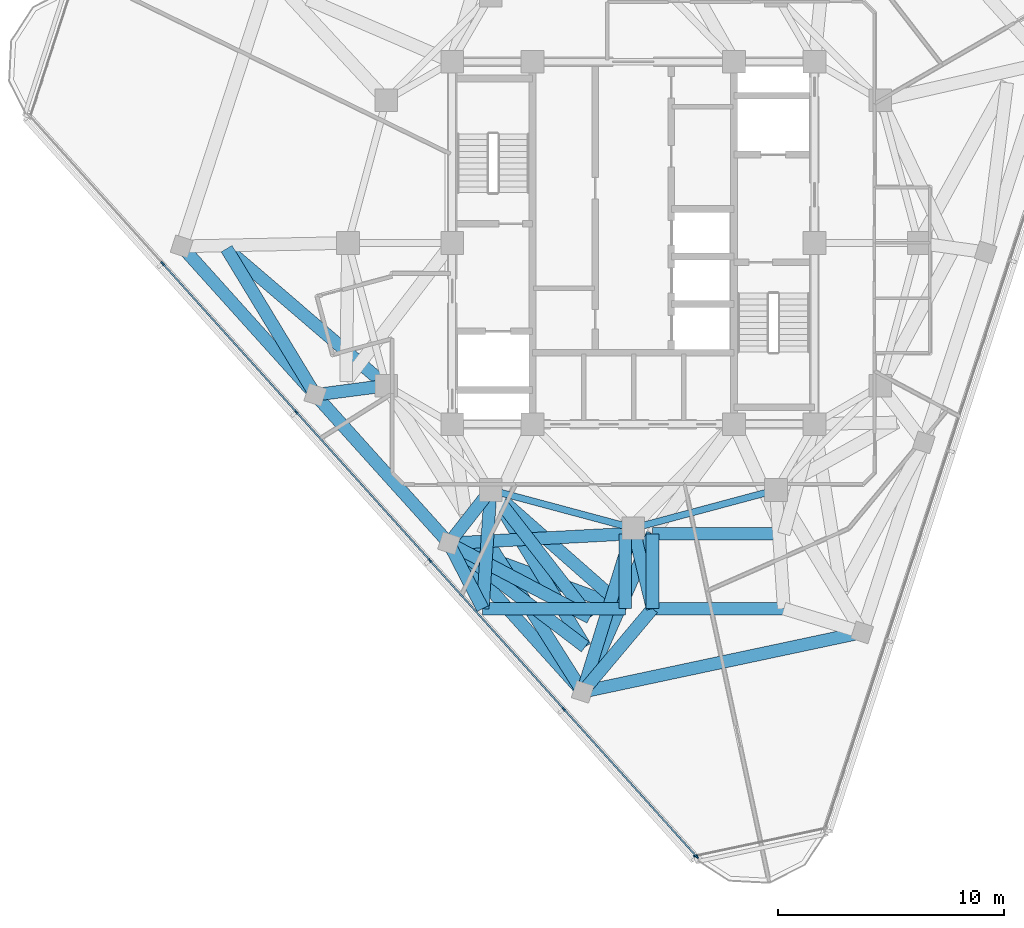
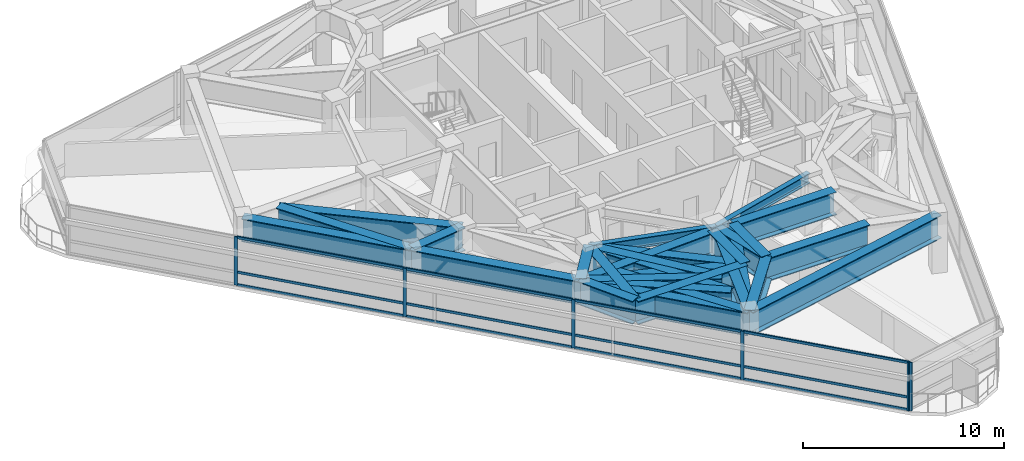
# One storey, part 2 of 15: 29 beams, 18 members, 2 elements without a shape of their own.
"""IFC4 building model written with IfcOpenShell, lengths in metres."""

from ifc_helpers import new_model, si_unit, direction, frame, origin, origin_2d, place, context, subcontext, project, spatial, rectangle, i_section, extrude, material, layer, layer_set, material_profile, profile_set, type_object, element, aggregate, save


model = new_model("IFC4")

# Units and contexts
model_context = context("Model", 3, precision=1e-05, world=origin(), true_north=direction((0.0, 1.0)))
body_context = subcontext(model_context, "Body", "Model", "MODEL_VIEW")
ifc_project = project(units=[si_unit("LENGTHUNIT", "METRE"), si_unit("AREAUNIT", "SQUARE_METRE"), si_unit("VOLUMEUNIT", "CUBIC_METRE"), si_unit("PLANEANGLEUNIT", "RADIAN"), si_unit("MASSUNIT", "GRAM", prefix="KILO")], contexts=[model_context])

# Site, building, storey
site_placement = place(None, origin())
site = spatial("IfcSite", under=ifc_project, at=site_placement, CompositionType="ELEMENT")
building_placement = place(site_placement, origin())
building = spatial("IfcBuilding", under=site, at=building_placement, Name="Terralouvre Media Tower", CompositionType="ELEMENT")
storey_placement = place(building_placement, frame((0.0, 0.0, 309.10009765625)))
storey = spatial("IfcBuildingStorey", under=building, at=storey_placement, Name="L80", CompositionType="ELEMENT", Elevation=309.10009765625)

# Curtain wall, members
ifc_material_1 = material(Name="Low-iron laminated double glazing with solar-control coating", Category="glass")
ifc_layer_1 = layer(ifc_material_1, 0.1650390625, Name="Faceted Glass-Point Crown Curtain Wall CW-06")
ifc_layer_set_1 = layer_set([ifc_layer_1], Name="Low-iron laminated double glazing with solar-control coating")
curtain_wall_type_1 = type_object("IfcCurtainWallType", Name="Faceted Glass-Point Crown Curtain Wall CW-06", PredefinedType="NOTDEFINED", material=ifc_layer_set_1)
curtain_wall_1_placement = place(storey_placement, origin())
curtain_wall_1 = element("IfcCurtainWall", 1, at=curtain_wall_1_placement, inside=storey, type_object=curtain_wall_type_1, Name="L80 Facade Curtain Wall F2", PredefinedType="NOTDEFINED")
ifc_material_2 = material(Name="Anodised extruded aluminium 6063-T6", Category="aluminium")
ifc_material_profile_1 = material_profile(ifc_material_2, rectangle(XDim=0.074951171875, YDim=0.14990234375, at=origin_2d()), Name="ALU 75x150")
ifc_profile_set_1 = profile_set([ifc_material_profile_1], Name="Anodised extruded aluminium 6063-T6")
member_type_1 = type_object("IfcMemberType", Name="Curtain-Wall Horizontal Transom TR-150", PredefinedType="USERDEFINED", material=ifc_profile_set_1)
member_1_placement = place(storey_placement, frame((-20.763671875, -0.935302734375, 0.037353515625), z_axis=(0.669121968521, -0.74315260293, 0.0), x_axis=(0.74315260293, 0.669121968521, 0.0)))
member_1 = element("IfcMember", 2, at=member_1_placement, type_object=member_type_1, Name="CW-06 transom 2.1", ObjectType="TRANSOM", PredefinedType="USERDEFINED", context=body_context, shape_type="SweptSolid", body=[
    extrude(rectangle(XDim=0.074951171875, YDim=0.14990234375, at=origin_2d()), origin(), (0.0, 0.0, 1.0), 8.749267578125),
])
member_2_placement = place(storey_placement, frame((-20.763671875, -0.935302734375, 0.7998046875), z_axis=(0.669121968521, -0.74315260293, 0.0), x_axis=(0.74315260293, 0.669121968521, 0.0)))
member_2 = element("IfcMember", 3, at=member_2_placement, type_object=member_type_1, Name="CW-06 transom 2.2", ObjectType="TRANSOM", PredefinedType="USERDEFINED", context=body_context, shape_type="SweptSolid", body=[
    extrude(rectangle(XDim=0.074951171875, YDim=0.14990234375, at=origin_2d()), origin(), (0.0, 0.0, 1.0), 8.749267578125),
])
member_3_placement = place(storey_placement, frame((-20.763671875, -0.935302734375, 2.90234375), z_axis=(0.669121968521, -0.74315260293, 0.0), x_axis=(0.74315260293, 0.669121968521, 0.0)))
member_3 = element("IfcMember", 4, at=member_3_placement, type_object=member_type_1, Name="CW-06 transom 2.3", ObjectType="TRANSOM", PredefinedType="USERDEFINED", context=body_context, shape_type="SweptSolid", body=[
    extrude(rectangle(XDim=0.074951171875, YDim=0.14990234375, at=origin_2d()), origin(), (0.0, 0.0, 1.0), 8.749267578125),
])
member_4_placement = place(storey_placement, frame((-14.859375, -7.492919921875, 0.037353515625), z_axis=(0.669135844476, -0.743140109022, 0.0), x_axis=(0.743140109022, 0.669135844476, 0.0)))
member_4 = element("IfcMember", 5, at=member_4_placement, type_object=member_type_1, Name="CW-06 transom 3.1", ObjectType="TRANSOM", PredefinedType="USERDEFINED", context=body_context, shape_type="SweptSolid", body=[
    extrude(rectangle(XDim=0.074951171875, YDim=0.14990234375, at=origin_2d()), origin(), (0.0, 0.0, 1.0), 8.7490234375),
])
member_5_placement = place(storey_placement, frame((-14.859375, -7.492919921875, 0.7998046875), z_axis=(0.669135844476, -0.743140109022, 0.0), x_axis=(0.743140109022, 0.669135844476, 0.0)))
member_5 = element("IfcMember", 6, at=member_5_placement, type_object=member_type_1, Name="CW-06 transom 3.2", ObjectType="TRANSOM", PredefinedType="USERDEFINED", context=body_context, shape_type="SweptSolid", body=[
    extrude(rectangle(XDim=0.074951171875, YDim=0.14990234375, at=origin_2d()), origin(), (0.0, 0.0, 1.0), 8.7490234375),
])
member_6_placement = place(storey_placement, frame((-14.859375, -7.492919921875, 2.90234375), z_axis=(0.669135844476, -0.743140109022, 0.0), x_axis=(0.743140109022, 0.669135844476, 0.0)))
member_6 = element("IfcMember", 7, at=member_6_placement, type_object=member_type_1, Name="CW-06 transom 3.3", ObjectType="TRANSOM", PredefinedType="USERDEFINED", context=body_context, shape_type="SweptSolid", body=[
    extrude(rectangle(XDim=0.074951171875, YDim=0.14990234375, at=origin_2d()), origin(), (0.0, 0.0, 1.0), 8.7490234375),
])
member_7_placement = place(storey_placement, frame((-8.954833984375, -14.050537109375, 0.037353515625), z_axis=(0.669135844476, -0.743140109022, 0.0), x_axis=(0.743140109022, 0.669135844476, 0.0)))
member_7 = element("IfcMember", 8, at=member_7_placement, type_object=member_type_1, Name="CW-06 transom 4.1", ObjectType="TRANSOM", PredefinedType="USERDEFINED", context=body_context, shape_type="SweptSolid", body=[
    extrude(rectangle(XDim=0.074951171875, YDim=0.14990234375, at=origin_2d()), origin(), (0.0, 0.0, 1.0), 8.7490234375),
])
member_8_placement = place(storey_placement, frame((-8.954833984375, -14.050537109375, 0.7998046875), z_axis=(0.669135844476, -0.743140109022, 0.0), x_axis=(0.743140109022, 0.669135844476, 0.0)))
member_8 = element("IfcMember", 9, at=member_8_placement, type_object=member_type_1, Name="CW-06 transom 4.2", ObjectType="TRANSOM", PredefinedType="USERDEFINED", context=body_context, shape_type="SweptSolid", body=[
    extrude(rectangle(XDim=0.074951171875, YDim=0.14990234375, at=origin_2d()), origin(), (0.0, 0.0, 1.0), 8.7490234375),
])
member_9_placement = place(storey_placement, frame((-8.954833984375, -14.050537109375, 2.90234375), z_axis=(0.669135844476, -0.743140109022, 0.0), x_axis=(0.743140109022, 0.669135844476, 0.0)))
member_9 = element("IfcMember", 10, at=member_9_placement, type_object=member_type_1, Name="CW-06 transom 4.3", ObjectType="TRANSOM", PredefinedType="USERDEFINED", context=body_context, shape_type="SweptSolid", body=[
    extrude(rectangle(XDim=0.074951171875, YDim=0.14990234375, at=origin_2d()), origin(), (0.0, 0.0, 1.0), 8.7490234375),
])
member_10_placement = place(storey_placement, frame((-3.050537109375, -20.60791015625, 0.037353515625), z_axis=(0.669130389016, -0.743145021174, 0.0), x_axis=(0.743145021174, 0.669130389016, 0.0)))
member_10 = element("IfcMember", 11, at=member_10_placement, type_object=member_type_1, Name="CW-06 transom 5.1", ObjectType="TRANSOM", PredefinedType="USERDEFINED", context=body_context, shape_type="SweptSolid", body=[
    extrude(rectangle(XDim=0.074951171875, YDim=0.14990234375, at=origin_2d()), origin(), (0.0, 0.0, 1.0), 8.71142578125),
])
member_11_placement = place(storey_placement, frame((-3.050537109375, -20.60791015625, 0.7998046875), z_axis=(0.669130389016, -0.743145021174, 0.0), x_axis=(0.743145021174, 0.669130389016, 0.0)))
member_11 = element("IfcMember", 12, at=member_11_placement, type_object=member_type_1, Name="CW-06 transom 5.2", ObjectType="TRANSOM", PredefinedType="USERDEFINED", context=body_context, shape_type="SweptSolid", body=[
    extrude(rectangle(XDim=0.074951171875, YDim=0.14990234375, at=origin_2d()), origin(), (0.0, 0.0, 1.0), 8.71142578125),
])
member_12_placement = place(storey_placement, frame((-3.050537109375, -20.60791015625, 2.90234375), z_axis=(0.669130389016, -0.743145021174, 0.0), x_axis=(0.743145021174, 0.669130389016, 0.0)))
member_12 = element("IfcMember", 13, at=member_12_placement, type_object=member_type_1, Name="CW-06 transom 5.3", ObjectType="TRANSOM", PredefinedType="USERDEFINED", context=body_context, shape_type="SweptSolid", body=[
    extrude(rectangle(XDim=0.074951171875, YDim=0.14990234375, at=origin_2d()), origin(), (0.0, 0.0, 1.0), 8.71142578125),
])
ifc_material_3 = material(Name="Anodised extruded aluminium 6063-T6", Category="aluminium")
ifc_material_profile_2 = material_profile(ifc_material_3, rectangle(XDim=0.074951171875, YDim=0.179931640625, at=origin_2d()), Name="ALU 75x180")
ifc_profile_set_2 = profile_set([ifc_material_profile_2], Name="Anodised extruded aluminium 6063-T6")
member_type_2 = type_object("IfcMemberType", Name="Curtain-Wall Vertical Mullion ML-180", PredefinedType="MULLION", material=ifc_profile_set_2)
member_13_placement = place(storey_placement, frame((-20.788818359375, -0.907470703125, 0.0), z_axis=(0.0, 0.0, 1.0), x_axis=(0.743144855036, 0.669130573531, 0.0)))
member_13 = element("IfcMember", 14, at=member_13_placement, type_object=member_type_2, Name="CW-06 mullion 2", PredefinedType="MULLION", context=body_context, shape_type="SweptSolid", body=[
    extrude(rectangle(XDim=0.074951171875, YDim=0.179931640625, at=origin_2d()), origin(), (0.0, 0.0, 1.0), 2.93994140625),
])
member_14_placement = place(storey_placement, frame((-14.88427734375, -7.465087890625, 0.0), z_axis=(0.0, 0.0, 1.0), x_axis=(0.743144855036, 0.669130573531, 0.0)))
member_14 = element("IfcMember", 15, at=member_14_placement, type_object=member_type_2, Name="CW-06 mullion 3", PredefinedType="MULLION", context=body_context, shape_type="SweptSolid", body=[
    extrude(rectangle(XDim=0.074951171875, YDim=0.179931640625, at=origin_2d()), origin(), (0.0, 0.0, 1.0), 2.93994140625),
])
member_15_placement = place(storey_placement, frame((-8.97998046875, -14.0224609375, 0.0), z_axis=(0.0, 0.0, 1.0), x_axis=(0.743144855036, 0.669130573531, 0.0)))
member_15 = element("IfcMember", 16, at=member_15_placement, type_object=member_type_2, Name="CW-06 mullion 4", PredefinedType="MULLION", context=body_context, shape_type="SweptSolid", body=[
    extrude(rectangle(XDim=0.074951171875, YDim=0.179931640625, at=origin_2d()), origin(), (0.0, 0.0, 1.0), 2.93994140625),
])
member_16_placement = place(storey_placement, frame((-3.07568359375, -20.580078125, 0.0), z_axis=(0.0, 0.0, 1.0), x_axis=(0.743144855036, 0.669130573531, 0.0)))
member_16 = element("IfcMember", 17, at=member_16_placement, type_object=member_type_2, Name="CW-06 mullion 5", PredefinedType="MULLION", context=body_context, shape_type="SweptSolid", body=[
    extrude(rectangle(XDim=0.074951171875, YDim=0.179931640625, at=origin_2d()), origin(), (0.0, 0.0, 1.0), 2.93994140625),
])
member_17_placement = place(storey_placement, frame((2.8037109375, -27.109619140625, 0.0), z_axis=(0.0, 0.0, 1.0), x_axis=(0.743144855036, 0.669130573531, 0.0)))
member_17 = element("IfcMember", 18, at=member_17_placement, type_object=member_type_2, Name="CW-06 mullion 6", PredefinedType="MULLION", context=body_context, shape_type="SweptSolid", body=[
    extrude(rectangle(XDim=0.074951171875, YDim=0.179931640625, at=origin_2d()), origin(), (0.0, 0.0, 1.0), 2.93994140625),
])
aggregate(curtain_wall_1, [member_13, member_14, member_15, member_16, member_17, member_1, member_2, member_3, member_4, member_5, member_6, member_7, member_8, member_9, member_10, member_11, member_12])

# Curtain wall, member
ifc_material_4 = material(Name="Low-iron laminated double glazing with solar-control coating", Category="glass")
ifc_layer_2 = layer(ifc_material_4, 0.1650390625, Name="Rounded Wind-Corner Curved Glazing CW-04")
ifc_layer_set_2 = layer_set([ifc_layer_2], Name="Low-iron laminated double glazing with solar-control coating")
curtain_wall_type_2 = type_object("IfcCurtainWallType", Name="Rounded Wind-Corner Curved Glazing CW-04", PredefinedType="NOTDEFINED", material=ifc_layer_set_2)
curtain_wall_2_placement = place(storey_placement, origin())
curtain_wall_2 = element("IfcCurtainWall", 19, at=curtain_wall_2_placement, inside=storey, type_object=curtain_wall_type_2, Name="L80 Rounded Wind-Corner Curtain Wall C0", PredefinedType="NOTDEFINED")
member_18_placement = place(storey_placement, frame((2.747314453125, -27.0732421875, 0.0), z_axis=(0.0, 0.0, 1.0), x_axis=(-0.207911647592, 0.978147609922, 0.0)))
member_18 = element("IfcMember", 20, at=member_18_placement, type_object=member_type_2, Name="CW-04 mullion 1", PredefinedType="MULLION", context=body_context, shape_type="SweptSolid", body=[
    extrude(rectangle(XDim=0.074951171875, YDim=0.179931640625, at=origin_2d()), origin(), (0.0, 0.0, 1.0), 2.93994140625),
])
aggregate(curtain_wall_2, [member_18])

# Beams
ifc_material_5 = material(Name="Structural steel S460M", Category="steel")
ifc_material_profile_3 = material_profile(ifc_material_5, i_section(OverallWidth=0.300048828125, OverallDepth=0.60009765625, WebThickness=0.015380859375, FlangeThickness=0.030029296875, at=origin_2d()), Name="HEB 600")
ifc_profile_set_3 = profile_set([ifc_material_profile_3], Name="Structural steel S460M")
beam_type_1 = type_object("IfcBeamType", Name="Primary Floor Girder B-HEB600 (HEB 600)", PredefinedType="BEAM", material=ifc_profile_set_3)
for number, where, z_axis, x_axis, name in (
    (21, (-6.300048828125, -10.911865234375, 3.139892578125), (0.965920481897, -0.258838989821, 0.0), (0.258838989821, 0.965920481897, 0.0), "L80 Framing Beam BM-L80-MR02"),
    (22, (0.0, -12.60009765625, 3.139892578125), (0.965920481897, 0.258838989821, 0.0), (-0.258838989821, 0.965920481897, 0.0), "L80 Framing Beam BM-L80-MR03"),
):
    element("IfcBeam", number, at=place(storey_placement, frame(where, z_axis=z_axis, x_axis=x_axis)), inside=storey, type_object=beam_type_1, Name=name, PredefinedType="BEAM", context=body_context, shape_type="SweptSolid", body=[
        extrude(i_section(OverallWidth=0.300048828125, OverallDepth=0.60009765625, WebThickness=0.015380859375, FlangeThickness=0.030029296875, at=origin_2d()), origin(), (0.0, 0.0, 1.0), 6.522216796875),
    ])
ifc_material_6 = material(Name="Structural steel S460M", Category="steel")
ifc_material_profile_4 = material_profile(ifc_material_6, i_section(OverallWidth=0.56005859375, OverallDepth=1.39990234375, WebThickness=0.031982421875, FlangeThickness=0.050048828125, at=origin_2d()), Name="TG 1400x560")
ifc_profile_set_4 = profile_set([ifc_material_profile_4], Name="Structural steel S460M")
beam_type_2 = type_object("IfcBeamType", Name="Welded Transfer Girder TG-1400 (TG 1400x560)", PredefinedType="USERDEFINED", material=ifc_profile_set_4)
for number, where, z_axis, x_axis, name in (
    (23, (-19.948974609375, -0.1513671875, 2.739990234375), (0.669117578136, -0.743156555935, 0.0), (0.743156555935, 0.669117578136, 0.0), "L80 Framing Beam BM-L80-PR01"),
    (24, (-14.044677734375, -6.708984375, 2.739990234375), (0.669146616148, -0.743130409887, 0.0), (0.743130409887, 0.669146616148, 0.0), "L80 Framing Beam BM-L80-PR02"),
    (25, (-8.14013671875, -13.266357421875, 2.739990234375), (0.669117578136, -0.743156555935, 0.0), (0.743156555935, 0.669117578136, 0.0), "L80 Framing Beam BM-L80-PR03"),
):
    element("IfcBeam", number, at=place(storey_placement, frame(where, z_axis=z_axis, x_axis=x_axis)), inside=storey, type_object=beam_type_2, Name=name, ObjectType="TRANSFER GIRDER", PredefinedType="USERDEFINED", context=body_context, shape_type="SweptSolid", body=[
        extrude(i_section(OverallWidth=0.56005859375, OverallDepth=1.39990234375, WebThickness=0.031982421875, FlangeThickness=0.050048828125, at=origin_2d()), origin(), (0.0, 0.0, 1.0), 8.823974609375),
    ])
beam_1_placement = place(storey_placement, frame((-2.23583984375, -19.823974609375, 2.739990234375), z_axis=(0.978147391184, 0.207912676669, 0.0), x_axis=(-0.207912676669, 0.978147391184, 0.0)))
element("IfcBeam", 26, at=beam_1_placement, inside=storey, type_object=beam_type_2, Name="L80 Framing Beam BM-L80-PR04", ObjectType="TRANSFER GIRDER", PredefinedType="USERDEFINED", context=body_context, shape_type="SweptSolid", body=[
    extrude(i_section(OverallWidth=0.56005859375, OverallDepth=1.39990234375, WebThickness=0.031982421875, FlangeThickness=0.050048828125, at=origin_2d()), origin(), (0.0, 0.0, 1.0), 12.6171875),
])
beam_2_placement = place(storey_placement, frame((-10.911865234375, -6.300048828125, 2.739990234375), z_axis=(-0.991587910477, -0.129434986756, 0.0), x_axis=(0.129434986756, -0.991587910477, 0.0)))
element("IfcBeam", 27, at=beam_2_placement, inside=storey, type_object=beam_type_2, Name="L80 Framing Beam BM-L80-RD02", ObjectType="TRANSFER GIRDER", PredefinedType="USERDEFINED", context=body_context, shape_type="SweptSolid", body=[
    extrude(i_section(OverallWidth=0.56005859375, OverallDepth=1.39990234375, WebThickness=0.031982421875, FlangeThickness=0.050048828125, at=origin_2d()), origin(), (0.0, 0.0, 1.0), 3.159423828125),
])
beam_3_placement = place(storey_placement, frame((-6.300048828125, -10.911865234375, 2.739990234375), z_axis=(-0.615777211554, -0.787920316867, 0.0), x_axis=(0.787920316867, -0.615777211554, 0.0)))
element("IfcBeam", 28, at=beam_3_placement, inside=storey, type_object=beam_type_2, Name="L80 Framing Beam BM-L80-RD03", ObjectType="TRANSFER GIRDER", PredefinedType="USERDEFINED", context=body_context, shape_type="SweptSolid", body=[
    extrude(i_section(OverallWidth=0.56005859375, OverallDepth=1.39990234375, WebThickness=0.031982421875, FlangeThickness=0.050048828125, at=origin_2d()), origin(), (0.0, 0.0, 1.0), 2.98828125),
])
beam_4_placement = place(storey_placement, frame((0.0, -12.60009765625, 2.739990234375), z_axis=(-0.295668996709, -0.955290450274, 0.0), x_axis=(0.955290450274, -0.295668996709, 0.0)))
element("IfcBeam", 29, at=beam_4_placement, inside=storey, type_object=beam_type_2, Name="L80 Framing Beam BM-L80-RD04", ObjectType="TRANSFER GIRDER", PredefinedType="USERDEFINED", context=body_context, shape_type="SweptSolid", body=[
    extrude(i_section(OverallWidth=0.56005859375, OverallDepth=1.39990234375, WebThickness=0.031982421875, FlangeThickness=0.050048828125, at=origin_2d()), origin(), (0.0, 0.0, 1.0), 7.56201171875),
])
beam_5_placement = place(storey_placement, frame((-17.9609375, -0.250732421875, 2.739990234375), z_axis=(0.518511601189, -0.855070593245, 0.0), x_axis=(0.855070593245, 0.518511601189, 0.0)))
element("IfcBeam", 30, at=beam_5_placement, inside=storey, type_object=beam_type_2, Name="L80 Framing Beam BM-L80-TR09S1", ObjectType="TRANSFER GIRDER", PredefinedType="USERDEFINED", context=body_context, shape_type="SweptSolid", body=[
    extrude(i_section(OverallWidth=0.56005859375, OverallDepth=1.39990234375, WebThickness=0.031982421875, FlangeThickness=0.050048828125, at=origin_2d()), origin(), (0.0, 0.0, 1.0), 7.552978515625),
])
beam_6_placement = place(storey_placement, frame((-17.9609375, -0.250732421875, 2.739990234375), z_axis=(0.758870571833, -0.651241472271, 0.0), x_axis=(0.651241472271, 0.758870571833, 0.0)))
element("IfcBeam", 31, at=beam_6_placement, inside=storey, type_object=beam_type_2, Name="L80 Framing Beam BM-L80-TR09S2", ObjectType="TRANSFER GIRDER", PredefinedType="USERDEFINED", context=body_context, shape_type="SweptSolid", body=[
    extrude(i_section(OverallWidth=0.56005859375, OverallDepth=1.39990234375, WebThickness=0.031982421875, FlangeThickness=0.050048828125, at=origin_2d()), origin(), (0.0, 0.0, 1.0), 9.288818359375),
])
beam_7_placement = place(storey_placement, frame((-2.126708984375, -17.83642578125, 2.739990234375), z_axis=(-0.796170914291, 0.605071793456, 0.0), x_axis=(-0.605071793456, -0.796170914291, 0.0)))
element("IfcBeam", 32, at=beam_7_placement, inside=storey, type_object=beam_type_2, Name="L80 Framing Beam BM-L80-TR12S1", ObjectType="TRANSFER GIRDER", PredefinedType="USERDEFINED", context=body_context, shape_type="SweptSolid", body=[
    extrude(i_section(OverallWidth=0.56005859375, OverallDepth=1.39990234375, WebThickness=0.031982421875, FlangeThickness=0.050048828125, at=origin_2d()), origin(), (0.0, 0.0, 1.0), 7.552978515625),
])
beam_8_placement = place(storey_placement, frame((-2.126708984375, -17.83642578125, 2.739990234375), z_axis=(-0.516186671303, 0.856476106129, 0.0), x_axis=(-0.856476106129, -0.516186671303, 0.0)))
element("IfcBeam", 33, at=beam_8_placement, inside=storey, type_object=beam_type_2, Name="L80 Framing Beam BM-L80-TR12S2", ObjectType="TRANSFER GIRDER", PredefinedType="USERDEFINED", context=body_context, shape_type="SweptSolid", body=[
    extrude(i_section(OverallWidth=0.56005859375, OverallDepth=1.39990234375, WebThickness=0.031982421875, FlangeThickness=0.050048828125, at=origin_2d()), origin(), (0.0, 0.0, 1.0), 8.0849609375),
])
beam_9_placement = place(storey_placement, frame((-1.91796875, -16.54248046875, 2.739990234375), z_axis=(-0.884842145633, 0.465890950021, 0.0), x_axis=(-0.465890950021, -0.884842145633, 0.0)))
element("IfcBeam", 34, at=beam_9_placement, inside=storey, type_object=beam_type_2, Name="L80 Framing Beam BM-L80-TR13S1", ObjectType="TRANSFER GIRDER", PredefinedType="USERDEFINED", context=body_context, shape_type="SweptSolid", body=[
    extrude(i_section(OverallWidth=0.56005859375, OverallDepth=1.39990234375, WebThickness=0.031982421875, FlangeThickness=0.050048828125, at=origin_2d()), origin(), (0.0, 0.0, 1.0), 7.031982421875),
])
beam_10_placement = place(storey_placement, frame((-1.91796875, -16.54248046875, 2.739990234375), z_axis=(-0.614177479172, 0.789167931481, 0.0), x_axis=(-0.789167931481, -0.614177479172, 0.0)))
element("IfcBeam", 35, at=beam_10_placement, inside=storey, type_object=beam_type_2, Name="L80 Framing Beam BM-L80-TR13S2", ObjectType="TRANSFER GIRDER", PredefinedType="USERDEFINED", context=body_context, shape_type="SweptSolid", body=[
    extrude(i_section(OverallWidth=0.56005859375, OverallDepth=1.39990234375, WebThickness=0.031982421875, FlangeThickness=0.050048828125, at=origin_2d()), origin(), (0.0, 0.0, 1.0), 7.134765625),
])
beam_11_placement = place(storey_placement, frame((-6.64990234375, -16.14990234375, 2.739990234375), z_axis=(-0.459118006243, 0.888375290259, 0.0), x_axis=(-0.888375290259, -0.459118006243, 0.0)))
element("IfcBeam", 36, at=beam_11_placement, inside=storey, type_object=beam_type_2, Name="L80 Framing Beam BM-L80-TR14S1", ObjectType="TRANSFER GIRDER", PredefinedType="USERDEFINED", context=body_context, shape_type="SweptSolid", body=[
    extrude(i_section(OverallWidth=0.56005859375, OverallDepth=1.39990234375, WebThickness=0.031982421875, FlangeThickness=0.050048828125, at=origin_2d()), origin(), (0.0, 0.0, 1.0), 3.245849609375),
])
beam_12_placement = place(storey_placement, frame((-6.64990234375, -16.14990234375, 2.739990234375), z_axis=(0.066642476119, 0.997776919144, 0.0), x_axis=(-0.997776919144, 0.066642476119, 0.0)))
element("IfcBeam", 37, at=beam_12_placement, inside=storey, type_object=beam_type_2, Name="L80 Framing Beam BM-L80-TR14S2", ObjectType="TRANSFER GIRDER", PredefinedType="USERDEFINED", context=body_context, shape_type="SweptSolid", body=[
    extrude(i_section(OverallWidth=0.56005859375, OverallDepth=1.39990234375, WebThickness=0.031982421875, FlangeThickness=0.050048828125, at=origin_2d()), origin(), (0.0, 0.0, 1.0), 5.249755859375),
])
beam_13_placement = place(storey_placement, frame((-0.35009765625, -16.14990234375, 2.739990234375), z_axis=(-0.750583366696, 0.660775763508, 0.0), x_axis=(-0.660775763508, -0.750583366696, 0.0)))
element("IfcBeam", 38, at=beam_13_placement, inside=storey, type_object=beam_type_2, Name="L80 Framing Beam BM-L80-TR15S1", ObjectType="TRANSFER GIRDER", PredefinedType="USERDEFINED", context=body_context, shape_type="SweptSolid", body=[
    extrude(i_section(OverallWidth=0.56005859375, OverallDepth=1.39990234375, WebThickness=0.031982421875, FlangeThickness=0.050048828125, at=origin_2d()), origin(), (0.0, 0.0, 1.0), 7.927001953125),
])
beam_14_placement = place(storey_placement, frame((-0.35009765625, -16.14990234375, 2.739990234375), z_axis=(-0.937813624761, 0.347139172686, 0.0), x_axis=(-0.347139172686, -0.937813624761, 0.0)))
element("IfcBeam", 39, at=beam_14_placement, inside=storey, type_object=beam_type_2, Name="L80 Framing Beam BM-L80-TR15S2", ObjectType="TRANSFER GIRDER", PredefinedType="USERDEFINED", context=body_context, shape_type="SweptSolid", body=[
    extrude(i_section(OverallWidth=0.56005859375, OverallDepth=1.39990234375, WebThickness=0.031982421875, FlangeThickness=0.050048828125, at=origin_2d()), origin(), (0.0, 0.0, 1.0), 8.306640625),
])
beam_15_placement = place(storey_placement, frame((-0.35009765625, -12.85009765625, 2.739990234375), z_axis=(-0.998575407043, -0.053358752319, 0.0), x_axis=(0.053358752319, -0.998575407043, 0.0)))
element("IfcBeam", 40, at=beam_15_placement, inside=storey, type_object=beam_type_2, Name="L80 Framing Beam BM-L80-TR16S2", ObjectType="TRANSFER GIRDER", PredefinedType="USERDEFINED", context=body_context, shape_type="SweptSolid", body=[
    extrude(i_section(OverallWidth=0.56005859375, OverallDepth=1.39990234375, WebThickness=0.031982421875, FlangeThickness=0.050048828125, at=origin_2d()), origin(), (0.0, 0.0, 1.0), 7.80126953125),
])
beam_16_placement = place(storey_placement, frame((-6.64990234375, -12.85009765625, 2.739990234375), z_axis=(0.534816307372, -0.84496835288, 0.0), x_axis=(0.84496835288, 0.534816307372, 0.0)))
element("IfcBeam", 41, at=beam_16_placement, inside=storey, type_object=beam_type_2, Name="L80 Framing Beam BM-L80-TR17S2", ObjectType="TRANSFER GIRDER", PredefinedType="USERDEFINED", context=body_context, shape_type="SweptSolid", body=[
    extrude(i_section(OverallWidth=0.56005859375, OverallDepth=1.39990234375, WebThickness=0.031982421875, FlangeThickness=0.050048828125, at=origin_2d()), origin(), (0.0, 0.0, 1.0), 8.25341796875),
])
beam_17_placement = place(storey_placement, frame((0.85009765625, -16.14990234375, 2.739990234375), z_axis=(-0.232892285543, 0.972502536415, 0.0), x_axis=(-0.972502536415, -0.232892285543, 0.0)))
element("IfcBeam", 42, at=beam_17_placement, inside=storey, type_object=beam_type_2, Name="L80 Framing Beam BM-L80-TR18S1", ObjectType="TRANSFER GIRDER", PredefinedType="USERDEFINED", context=body_context, shape_type="SweptSolid", body=[
    extrude(i_section(OverallWidth=0.56005859375, OverallDepth=1.39990234375, WebThickness=0.031982421875, FlangeThickness=0.050048828125, at=origin_2d()), origin(), (0.0, 0.0, 1.0), 3.650146484375),
])
beam_18_placement = place(storey_placement, frame((0.85009765625, -16.14990234375, 2.739990234375), z_axis=(-0.643157479794, -0.765733933024, 0.0), x_axis=(0.765733933024, -0.643157479794, 0.0)))
element("IfcBeam", 43, at=beam_18_placement, inside=storey, type_object=beam_type_2, Name="L80 Framing Beam BM-L80-TR18S2", ObjectType="TRANSFER GIRDER", PredefinedType="USERDEFINED", context=body_context, shape_type="SweptSolid", body=[
    extrude(i_section(OverallWidth=0.56005859375, OverallDepth=1.39990234375, WebThickness=0.031982421875, FlangeThickness=0.050048828125, at=origin_2d()), origin(), (0.0, 0.0, 1.0), 4.798095703125),
])
beam_19_placement = place(storey_placement, frame((0.85009765625, -12.85009765625, 2.739990234375), z_axis=(-0.40465275951, -0.914470417357, 0.0), x_axis=(0.914470417357, -0.40465275951, 0.0)))
element("IfcBeam", 44, at=beam_19_placement, inside=storey, type_object=beam_type_2, Name="L80 Framing Beam BM-L80-TR21S2", ObjectType="TRANSFER GIRDER", PredefinedType="USERDEFINED", context=body_context, shape_type="SweptSolid", body=[
    extrude(i_section(OverallWidth=0.56005859375, OverallDepth=1.39990234375, WebThickness=0.031982421875, FlangeThickness=0.050048828125, at=origin_2d()), origin(), (0.0, 0.0, 1.0), 7.626220703125),
])
beam_20_placement = place(storey_placement, frame((-6.64990234375, -16.14990234375, 2.739990234375), z_axis=(1.0, 0.0, 0.0), x_axis=(0.0, 1.0, 0.0)))
element("IfcBeam", 45, at=beam_20_placement, inside=storey, type_object=beam_type_2, Name="L80 Framing Beam BM-L80-PVR01", ObjectType="TRANSFER GIRDER", PredefinedType="USERDEFINED", context=body_context, shape_type="SweptSolid", body=[
    extrude(i_section(OverallWidth=0.56005859375, OverallDepth=1.39990234375, WebThickness=0.031982421875, FlangeThickness=0.050048828125, at=origin_2d()), origin(), (0.0, 0.0, 1.0), 6.2998046875),
])
beam_21_placement = place(storey_placement, frame((-0.35009765625, -16.14990234375, 2.739990234375), z_axis=(0.0, 1.0, 0.0), x_axis=(-1.0, 0.0, 0.0)))
element("IfcBeam", 46, at=beam_21_placement, inside=storey, type_object=beam_type_2, Name="L80 Framing Beam BM-L80-PVR02", ObjectType="TRANSFER GIRDER", PredefinedType="USERDEFINED", context=body_context, shape_type="SweptSolid", body=[
    extrude(i_section(OverallWidth=0.56005859375, OverallDepth=1.39990234375, WebThickness=0.031982421875, FlangeThickness=0.050048828125, at=origin_2d()), origin(), (0.0, 0.0, 1.0), 3.2998046875),
])
for number, where, z_axis, x_axis, name in (
    (47, (0.85009765625, -16.14990234375, 2.739990234375), (1.0, 0.0, 0.0), (0.0, 1.0, 0.0), "L80 Framing Beam BM-L80-PVR05"),
    (48, (6.64990234375, -12.85009765625, 2.739990234375), (-1.0, 0.0, 0.0), (0.0, -1.0, 0.0), "L80 Framing Beam BM-L80-PVR07"),
):
    element("IfcBeam", number, at=place(storey_placement, frame(where, z_axis=z_axis, x_axis=x_axis)), inside=storey, type_object=beam_type_2, Name=name, ObjectType="TRANSFER GIRDER", PredefinedType="USERDEFINED", context=body_context, shape_type="SweptSolid", body=[
        extrude(i_section(OverallWidth=0.56005859375, OverallDepth=1.39990234375, WebThickness=0.031982421875, FlangeThickness=0.050048828125, at=origin_2d()), origin(), (0.0, 0.0, 1.0), 5.7998046875),
    ])
beam_22_placement = place(storey_placement, frame((0.85009765625, -12.85009765625, 2.739990234375), z_axis=(0.0, -1.0, 0.0), x_axis=(1.0, 0.0, 0.0)))
element("IfcBeam", 49, at=beam_22_placement, inside=storey, type_object=beam_type_2, Name="L80 Framing Beam BM-L80-PVR08", ObjectType="TRANSFER GIRDER", PredefinedType="USERDEFINED", context=body_context, shape_type="SweptSolid", body=[
    extrude(i_section(OverallWidth=0.56005859375, OverallDepth=1.39990234375, WebThickness=0.031982421875, FlangeThickness=0.050048828125, at=origin_2d()), origin(), (0.0, 0.0, 1.0), 3.2998046875),
])

save(model, "model.ifc")
